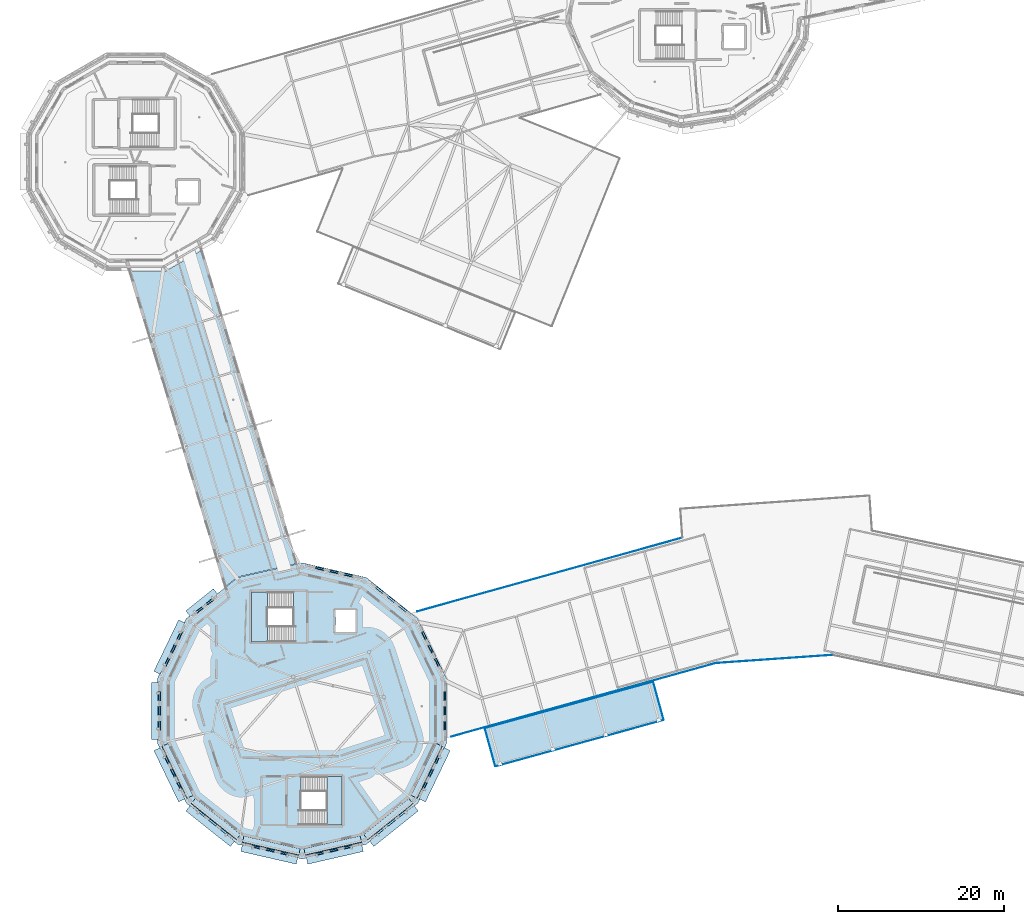
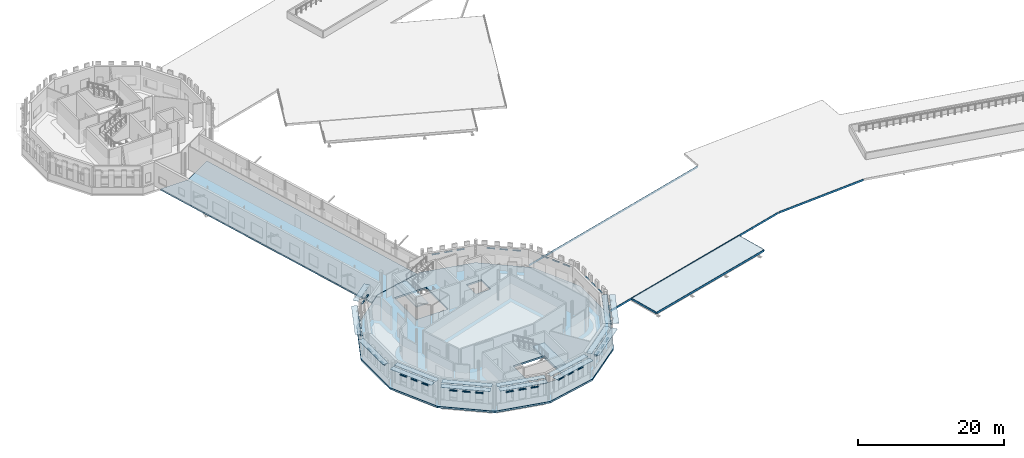
# One storey, part 31 of 90: 60 plates, 5 slabs, 2 elements without a shape of their own.
"""IFC4 building model written with IfcOpenShell, lengths in metres."""

from ifc_helpers import new_model, si_unit, direction, frame, origin, origin_2d, place, context, subcontext, project, spatial, polyline, rectangle, outline, extrude, material, layer, layer_set, type_object, element, aggregate, save


model = new_model("IFC4")

# Units and contexts
model_context = context("Model", 3, precision=1e-05, world=origin(), true_north=direction((0.0, 1.0)))
body_context = subcontext(model_context, "Body", "Model", "MODEL_VIEW")
ifc_project = project(units=[si_unit("LENGTHUNIT", "METRE"), si_unit("AREAUNIT", "SQUARE_METRE"), si_unit("VOLUMEUNIT", "CUBIC_METRE"), si_unit("PLANEANGLEUNIT", "RADIAN"), si_unit("MASSUNIT", "GRAM", prefix="KILO")], contexts=[model_context])

# Site, building, storey
site_placement = place(None, origin())
site = spatial("IfcSite", under=ifc_project, at=site_placement, CompositionType="ELEMENT")
building_placement = place(site_placement, origin())
building = spatial("IfcBuilding", under=site, at=building_placement, Name="Wrenclough Park School", CompositionType="ELEMENT")
storey_placement = place(building_placement, frame((0.0, 0.0, 8.39990234375)))
storey = spatial("IfcBuildingStorey", under=building, at=storey_placement, Name="L02", CompositionType="ELEMENT", Elevation=8.39990234375)

# Plates
ifc_material_1 = material(Name="Anodised architectural aluminium solar shading fin plate", Category="aluminium")
ifc_layer_1 = layer(ifc_material_1, 0.0380859375)
ifc_layer_set_1 = layer_set([ifc_layer_1], Name="Anodised architectural aluminium solar shading fin plate")
plate_type_1 = type_object("IfcPlateType", Name="ENV-PL-BSF", PredefinedType="SHEET", material=ifc_layer_set_1)
for number, where, z_axis, x_axis, name in (
    (1, (52.748291015625, 29.341064453125, 2.72216796875), (0.0, 0.0, 1.0), (-0.433883766632, 0.900968854652, 0.0), "D2 L02 open-bond brick screen tie band 0335"),
    (2, (51.97314453125, 30.950927734375, 2.72216796875), (0.0, 0.0, 1.0), (-0.433883766632, 0.900968854652, 0.0), "D2 L02 open-bond brick screen tie band 0336"),
    (3, (51.197998046875, 32.560791015625, 2.72216796875), (0.0, 0.0, 1.0), (-0.433883766632, 0.900968854652, 0.0), "D2 L02 open-bond brick screen tie band 0337"),
):
    element("IfcPlate", number, at=place(storey_placement, frame(where, z_axis=z_axis, x_axis=x_axis)), inside=storey, type_object=plate_type_1, Name=name, PredefinedType="SHEET", context=body_context, shape_type="SweptSolid", body=[
        extrude(rectangle(XDim=1.0869140625, YDim=0.219970703125, at=origin_2d()), origin(), (0.0, 0.0, 1.0), 0.0419921875),
    ])
for number, where, z_axis, x_axis, name in (
    (4, (48.604736328125, 35.812744140625, 2.72216796875), (0.0, 0.0, 1.0), (-0.781830120845, 0.623491509276, 0.0), "D2 L02 open-bond brick screen tie band 0338"),
    (5, (47.207763671875, 36.927001953125, 2.72216796875), (0.0, 0.0, 1.0), (-0.781830120845, 0.623491509276, 0.0), "D2 L02 open-bond brick screen tie band 0339"),
    (6, (45.810546875, 38.041259765625, 2.72216796875), (0.0, 0.0, 1.0), (-0.781830120845, 0.623491509276, 0.0), "D2 L02 open-bond brick screen tie band 0340"),
):
    element("IfcPlate", number, at=place(storey_placement, frame(where, z_axis=z_axis, x_axis=x_axis)), inside=storey, type_object=plate_type_1, Name=name, PredefinedType="SHEET", context=body_context, shape_type="SweptSolid", body=[
        extrude(rectangle(XDim=1.0859375, YDim=0.219970703125, at=origin_2d()), origin(), (0.0, 0.0, 1.0), 0.0419921875),
    ])
for number, where, z_axis, x_axis, name in (
    (7, (42.074462890625, 39.843017578125, 2.72216796875), (0.0, 0.0, 1.0), (-0.974925162984, 0.222532978638, 0.0), "D2 L02 open-bond brick screen tie band 0341"),
    (8, (40.343994140625, 40.23779296875, 2.72216796875), (0.0, 0.0, 1.0), (-0.974925162984, 0.222532978638, 0.0), "D2 L02 open-bond brick screen tie band 0342"),
    (9, (38.61376953125, 40.6328125, 2.72216796875), (0.0, 0.0, 1.0), (-0.974925162984, 0.222532978638, 0.0), "D2 L02 open-bond brick screen tie band 0343"),
):
    element("IfcPlate", number, at=place(storey_placement, frame(where, z_axis=z_axis, x_axis=x_axis)), inside=storey, type_object=plate_type_1, Name=name, PredefinedType="SHEET", context=body_context, shape_type="SweptSolid", body=[
        extrude(rectangle(XDim=1.079833984375, YDim=0.219970703125, at=origin_2d()), origin(), (0.0, 0.0, 1.0), 0.0419921875),
    ])
for number, where, z_axis, x_axis, name in (
    (10, (25.367919921875, 36.58837890625, 2.72216796875), (0.0, 0.0, 1.0), (-0.781831365405, -0.623489948652, 0.0), "D2 L02 open-bond brick screen tie band 0344"),
    (11, (24.182861328125, 35.6435546875, 2.72216796875), (0.0, 0.0, 1.0), (-0.781831365405, -0.623489948652, 0.0), "D2 L02 open-bond brick screen tie band 0345"),
):
    element("IfcPlate", number, at=place(storey_placement, frame(where, z_axis=z_axis, x_axis=x_axis)), inside=storey, type_object=plate_type_1, Name=name, PredefinedType="SHEET", context=body_context, shape_type="SweptSolid", body=[
        extrude(rectangle(XDim=0.9287109375, YDim=0.219970703125, at=origin_2d()), origin(), (0.0, 0.0, 1.0), 0.0419921875),
    ])
plate_1_placement = place(storey_placement, frame((24.45263671875, 36.5205078125, 3.701171875), z_axis=(0.0, 0.0, 1.0), x_axis=(-0.781831365405, -0.623489948652, 0.0)))
element("IfcPlate", 12, at=plate_1_placement, inside=storey, type_object=plate_type_1, Name="D2 L02 sun-side projecting brise-soleil blade 0050", PredefinedType="SHEET", context=body_context, shape_type="SweptSolid", body=[
    extrude(rectangle(XDim=4.24658203125, YDim=0.85009765625, at=origin_2d()), origin(), (0.0, 0.0, 1.0), 0.0380859375),
])
plate_2_placement = place(storey_placement, frame((21.802001953125, 32.560791015625, 2.72216796875), z_axis=(0.0, 0.0, 1.0), x_axis=(-0.43387157134, -0.900974727494, 0.0)))
element("IfcPlate", 13, at=plate_2_placement, inside=storey, type_object=plate_type_1, Name="D2 L02 open-bond brick screen tie band 0346", PredefinedType="SHEET", context=body_context, shape_type="SweptSolid", body=[
    extrude(rectangle(XDim=1.086669921875, YDim=0.219970703125, at=origin_2d()), origin(), (0.0, 0.0, 1.0), 0.0419921875),
])
plate_3_placement = place(storey_placement, frame((21.02685546875, 30.951171875, 2.72216796875), z_axis=(0.0, 0.0, 1.0), x_axis=(-0.43387157134, -0.900974727494, 0.0)))
element("IfcPlate", 14, at=plate_3_placement, inside=storey, type_object=plate_type_1, Name="D2 L02 open-bond brick screen tie band 0347", PredefinedType="SHEET", context=body_context, shape_type="SweptSolid", body=[
    extrude(rectangle(XDim=1.0869140625, YDim=0.219970703125, at=origin_2d()), origin(), (0.0, 0.0, 1.0), 0.0419921875),
])
plate_4_placement = place(storey_placement, frame((20.251708984375, 29.34130859375, 2.72216796875), z_axis=(0.0, 0.0, 1.0), x_axis=(-0.43387157134, -0.900974727494, 0.0)))
element("IfcPlate", 15, at=plate_4_placement, inside=storey, type_object=plate_type_1, Name="D2 L02 open-bond brick screen tie band 0348", PredefinedType="SHEET", context=body_context, shape_type="SweptSolid", body=[
    extrude(rectangle(XDim=1.086669921875, YDim=0.219970703125, at=origin_2d()), origin(), (0.0, 0.0, 1.0), 0.0419921875),
])
plate_5_placement = place(storey_placement, frame((20.560546875, 31.17578125, 3.701171875), z_axis=(0.0, 0.0, 1.0), x_axis=(-0.43387157134, -0.900974727494, 0.0)))
element("IfcPlate", 16, at=plate_5_placement, inside=storey, type_object=plate_type_1, Name="D2 L02 sun-side projecting brise-soleil blade 0051", PredefinedType="SHEET", context=body_context, shape_type="SweptSolid", body=[
    extrude(rectangle(XDim=6.8466796875, YDim=0.85009765625, at=origin_2d()), origin(), (0.0, 0.0, 1.0), 0.0380859375),
])
plate_6_placement = place(storey_placement, frame((19.326416015625, 25.28662109375, 2.72216796875), z_axis=(0.0, 0.0, 1.0), x_axis=(0.0, -1.0, 0.0)))
element("IfcPlate", 17, at=plate_6_placement, inside=storey, type_object=plate_type_1, Name="D2 L02 open-bond brick screen tie band 0349", PredefinedType="SHEET", context=body_context, shape_type="SweptSolid", body=[
    extrude(rectangle(XDim=1.08642578125, YDim=0.219970703125, at=origin_2d()), origin(), (0.0, 0.0, 1.0), 0.0419921875),
])
plate_7_placement = place(storey_placement, frame((19.326416015625, 23.5, 2.72216796875), z_axis=(0.0, 0.0, 1.0), x_axis=(0.0, -1.0, 0.0)))
element("IfcPlate", 18, at=plate_7_placement, inside=storey, type_object=plate_type_1, Name="D2 L02 open-bond brick screen tie band 0350", PredefinedType="SHEET", context=body_context, shape_type="SweptSolid", body=[
    extrude(rectangle(XDim=1.086669921875, YDim=0.219970703125, at=origin_2d()), origin(), (0.0, 0.0, 1.0), 0.0419921875),
])
plate_8_placement = place(storey_placement, frame((19.326416015625, 21.71337890625, 2.72216796875), z_axis=(0.0, 0.0, 1.0), x_axis=(0.0, -1.0, 0.0)))
element("IfcPlate", 19, at=plate_8_placement, inside=storey, type_object=plate_type_1, Name="D2 L02 open-bond brick screen tie band 0351", PredefinedType="SHEET", context=body_context, shape_type="SweptSolid", body=[
    extrude(rectangle(XDim=1.08642578125, YDim=0.219970703125, at=origin_2d()), origin(), (0.0, 0.0, 1.0), 0.0419921875),
])
plate_9_placement = place(storey_placement, frame((18.808837890625, 23.5, 3.701171875), z_axis=(0.0, 0.0, 1.0), x_axis=(0.0, -1.0, 0.0)))
element("IfcPlate", 20, at=plate_9_placement, inside=storey, type_object=plate_type_1, Name="D2 L02 sun-side projecting brise-soleil blade 0052", PredefinedType="SHEET", context=body_context, shape_type="SweptSolid", body=[
    extrude(rectangle(XDim=6.845947265625, YDim=0.85009765625, at=origin_2d()), origin(), (0.0, 0.0, 1.0), 0.0380859375),
])
plate_10_placement = place(storey_placement, frame((20.251708984375, 17.65869140625, 2.72216796875), z_axis=(0.0, 0.0, 1.0), x_axis=(0.433882929518, -0.900969257785, 0.0)))
element("IfcPlate", 21, at=plate_10_placement, inside=storey, type_object=plate_type_1, Name="D2 L02 open-bond brick screen tie band 0352", PredefinedType="SHEET", context=body_context, shape_type="SweptSolid", body=[
    extrude(rectangle(XDim=1.086669921875, YDim=0.219970703125, at=origin_2d()), origin(), (0.0, 0.0, 1.0), 0.0419921875),
])
plate_11_placement = place(storey_placement, frame((21.02685546875, 16.048828125, 2.72216796875), z_axis=(0.0, 0.0, 1.0), x_axis=(0.433882929518, -0.900969257785, 0.0)))
element("IfcPlate", 22, at=plate_11_placement, inside=storey, type_object=plate_type_1, Name="D2 L02 open-bond brick screen tie band 0353", PredefinedType="SHEET", context=body_context, shape_type="SweptSolid", body=[
    extrude(rectangle(XDim=1.0869140625, YDim=0.219970703125, at=origin_2d()), origin(), (0.0, 0.0, 1.0), 0.0419921875),
])
plate_12_placement = place(storey_placement, frame((21.80224609375, 14.439208984375, 2.72216796875), z_axis=(0.0, 0.0, 1.0), x_axis=(0.433882929518, -0.900969257785, 0.0)))
element("IfcPlate", 23, at=plate_12_placement, inside=storey, type_object=plate_type_1, Name="D2 L02 open-bond brick screen tie band 0354", PredefinedType="SHEET", context=body_context, shape_type="SweptSolid", body=[
    extrude(rectangle(XDim=1.086669921875, YDim=0.219970703125, at=origin_2d()), origin(), (0.0, 0.0, 1.0), 0.0419921875),
])
plate_13_placement = place(storey_placement, frame((20.560791015625, 15.82421875, 3.701171875), z_axis=(0.0, 0.0, 1.0), x_axis=(0.433882929518, -0.900969257785, 0.0)))
element("IfcPlate", 24, at=plate_13_placement, inside=storey, type_object=plate_type_1, Name="D2 L02 sun-side projecting brise-soleil blade 0053", PredefinedType="SHEET", context=body_context, shape_type="SweptSolid", body=[
    extrude(rectangle(XDim=6.846923828125, YDim=0.85009765625, at=origin_2d()), origin(), (0.0, 0.0, 1.0), 0.0380859375),
])
for number, where, z_axis, x_axis, name in (
    (25, (24.39501953125, 11.187255859375, 2.72216796875), (0.0, 0.0, 1.0), (0.781831588169, -0.623489669314, 0.0), "D2 L02 open-bond brick screen tie band 0355"),
    (26, (25.7919921875, 10.0732421875, 2.72216796875), (0.0, 0.0, 1.0), (0.781831588169, -0.623489669314, 0.0), "D2 L02 open-bond brick screen tie band 0356"),
    (27, (27.18896484375, 8.959228515625, 2.72216796875), (0.0, 0.0, 1.0), (0.781831588169, -0.623489669314, 0.0), "D2 L02 open-bond brick screen tie band 0357"),
):
    element("IfcPlate", number, at=place(storey_placement, frame(where, z_axis=z_axis, x_axis=x_axis)), inside=storey, type_object=plate_type_1, Name=name, PredefinedType="SHEET", context=body_context, shape_type="SweptSolid", body=[
        extrude(rectangle(XDim=1.0869140625, YDim=0.219970703125, at=origin_2d()), origin(), (0.0, 0.0, 1.0), 0.0419921875),
    ])
plate_14_placement = place(storey_placement, frame((25.469482421875, 9.668701171875, 3.701171875), z_axis=(0.0, 0.0, 1.0), x_axis=(0.781831588169, -0.623489669314, 0.0)))
element("IfcPlate", 28, at=plate_14_placement, inside=storey, type_object=plate_type_1, Name="D2 L02 sun-side projecting brise-soleil blade 0054", PredefinedType="SHEET", context=body_context, shape_type="SweptSolid", body=[
    extrude(rectangle(XDim=6.84716796875, YDim=0.85009765625, at=origin_2d()), origin(), (0.0, 0.0, 1.0), 0.0380859375),
])
for number, where, z_axis, x_axis, name in (
    (29, (30.936279296875, 7.154541015625, 2.72216796875), (0.0, 0.0, 1.0), (0.97492627853, -0.222528091331, 0.0), "D2 L02 open-bond brick screen tie band 0358"),
    (30, (32.67822265625, 6.7568359375, 2.72216796875), (0.0, 0.0, 1.0), (0.97492627853, -0.222528091331, 0.0), "D2 L02 open-bond brick screen tie band 0359"),
    (31, (34.42041015625, 6.359375, 2.72216796875), (0.0, 0.0, 1.0), (0.97492627853, -0.222528091331, 0.0), "D2 L02 open-bond brick screen tie band 0360"),
):
    element("IfcPlate", number, at=place(storey_placement, frame(where, z_axis=z_axis, x_axis=x_axis)), inside=storey, type_object=plate_type_1, Name=name, PredefinedType="SHEET", context=body_context, shape_type="SweptSolid", body=[
        extrude(rectangle(XDim=1.0869140625, YDim=0.219970703125, at=origin_2d()), origin(), (0.0, 0.0, 1.0), 0.0419921875),
    ])
plate_15_placement = place(storey_placement, frame((32.56298828125, 6.25244140625, 3.701171875), z_axis=(0.0, 0.0, 1.0), x_axis=(0.97492627853, -0.222528091331, 0.0)))
element("IfcPlate", 32, at=plate_15_placement, inside=storey, type_object=plate_type_1, Name="D2 L02 sun-side projecting brise-soleil blade 0055", PredefinedType="SHEET", context=body_context, shape_type="SweptSolid", body=[
    extrude(rectangle(XDim=6.847412109375, YDim=0.85009765625, at=origin_2d()), origin(), (0.0, 0.0, 1.0), 0.0380859375),
])
for number, where, z_axis, x_axis, name in (
    (33, (38.579345703125, 6.359130859375, 2.72216796875), (0.0, 0.0, 1.0), (0.974929149471, 0.222515512969, 0.0), "D2 L02 open-bond brick screen tie band 0361"),
    (34, (40.3212890625, 6.7568359375, 2.72216796875), (0.0, 0.0, 1.0), (0.974929149471, 0.222515512969, 0.0), "D2 L02 open-bond brick screen tie band 0362"),
    (35, (42.06298828125, 7.154296875, 2.72216796875), (0.0, 0.0, 1.0), (0.974929149471, 0.222515512969, 0.0), "D2 L02 open-bond brick screen tie band 0363"),
):
    element("IfcPlate", number, at=place(storey_placement, frame(where, z_axis=z_axis, x_axis=x_axis)), inside=storey, type_object=plate_type_1, Name=name, PredefinedType="SHEET", context=body_context, shape_type="SweptSolid", body=[
        extrude(rectangle(XDim=1.086669921875, YDim=0.219970703125, at=origin_2d()), origin(), (0.0, 0.0, 1.0), 0.0419921875),
    ])
plate_16_placement = place(storey_placement, frame((40.436279296875, 6.252197265625, 3.701171875), z_axis=(0.0, 0.0, 1.0), x_axis=(0.974929149471, 0.222515512969, 0.0)))
element("IfcPlate", 36, at=plate_16_placement, inside=storey, type_object=plate_type_1, Name="D2 L02 sun-side projecting brise-soleil blade 0056", PredefinedType="SHEET", context=body_context, shape_type="SweptSolid", body=[
    extrude(rectangle(XDim=6.846435546875, YDim=0.85009765625, at=origin_2d()), origin(), (0.0, 0.0, 1.0), 0.0380859375),
])
for number, where, z_axis, x_axis, name in (
    (37, (45.810546875, 8.958740234375, 2.72216796875), (0.0, 0.0, 1.0), (0.781830120845, 0.623491509276, 0.0), "D2 L02 open-bond brick screen tie band 0364"),
    (38, (47.207763671875, 10.072998046875, 2.72216796875), (0.0, 0.0, 1.0), (0.781830120845, 0.623491509276, 0.0), "D2 L02 open-bond brick screen tie band 0365"),
    (39, (48.604736328125, 11.18701171875, 2.72216796875), (0.0, 0.0, 1.0), (0.781830120845, 0.623491509276, 0.0), "D2 L02 open-bond brick screen tie band 0366"),
):
    element("IfcPlate", number, at=place(storey_placement, frame(where, z_axis=z_axis, x_axis=x_axis)), inside=storey, type_object=plate_type_1, Name=name, PredefinedType="SHEET", context=body_context, shape_type="SweptSolid", body=[
        extrude(rectangle(XDim=1.0859375, YDim=0.219970703125, at=origin_2d()), origin(), (0.0, 0.0, 1.0), 0.0419921875),
    ])
plate_17_placement = place(storey_placement, frame((47.5302734375, 9.66845703125, 3.701171875), z_axis=(0.0, 0.0, 1.0), x_axis=(0.781830120845, 0.623491509276, 0.0)))
element("IfcPlate", 40, at=plate_17_placement, inside=storey, type_object=plate_type_1, Name="D2 L02 sun-side projecting brise-soleil blade 0057", PredefinedType="SHEET", context=body_context, shape_type="SweptSolid", body=[
    extrude(rectangle(XDim=6.847900390625, YDim=0.85009765625, at=origin_2d()), origin(), (0.0, 0.0, 1.0), 0.0380859375),
])
for number, where, z_axis, x_axis, name in (
    (41, (51.197998046875, 14.439208984375, 2.72216796875), (0.0, 0.0, 1.0), (0.433872409166, 0.900974324032, 0.0), "D2 L02 open-bond brick screen tie band 0367"),
    (42, (51.97314453125, 16.049072265625, 2.72216796875), (0.0, 0.0, 1.0), (0.433872409166, 0.900974324032, 0.0), "D2 L02 open-bond brick screen tie band 0368"),
    (43, (52.748291015625, 17.658935546875, 2.72216796875), (0.0, 0.0, 1.0), (0.433872409166, 0.900974324032, 0.0), "D2 L02 open-bond brick screen tie band 0369"),
):
    element("IfcPlate", number, at=place(storey_placement, frame(where, z_axis=z_axis, x_axis=x_axis)), inside=storey, type_object=plate_type_1, Name=name, PredefinedType="SHEET", context=body_context, shape_type="SweptSolid", body=[
        extrude(rectangle(XDim=1.0869140625, YDim=0.219970703125, at=origin_2d()), origin(), (0.0, 0.0, 1.0), 0.0419921875),
    ])
plate_18_placement = place(storey_placement, frame((52.439453125, 15.824462890625, 3.701171875), z_axis=(0.0, 0.0, 1.0), x_axis=(0.433872409166, 0.900974324032, 0.0)))
element("IfcPlate", 44, at=plate_18_placement, inside=storey, type_object=plate_type_1, Name="D2 L02 sun-side projecting brise-soleil blade 0058", PredefinedType="SHEET", context=body_context, shape_type="SweptSolid", body=[
    extrude(rectangle(XDim=6.847412109375, YDim=0.85009765625, at=origin_2d()), origin(), (0.0, 0.0, 1.0), 0.0380859375),
])
plate_19_placement = place(storey_placement, frame((53.673583984375, 21.71337890625, 2.72216796875), z_axis=(0.0, 0.0, 1.0), x_axis=(0.0, 1.0, 0.0)))
element("IfcPlate", 45, at=plate_19_placement, inside=storey, type_object=plate_type_1, Name="D2 L02 open-bond brick screen tie band 0370", PredefinedType="SHEET", context=body_context, shape_type="SweptSolid", body=[
    extrude(rectangle(XDim=1.08642578125, YDim=0.219970703125, at=origin_2d()), origin(), (0.0, 0.0, 1.0), 0.0419921875),
])
plate_20_placement = place(storey_placement, frame((53.673583984375, 23.5, 2.72216796875), z_axis=(0.0, 0.0, 1.0), x_axis=(0.0, 1.0, 0.0)))
element("IfcPlate", 46, at=plate_20_placement, inside=storey, type_object=plate_type_1, Name="D2 L02 open-bond brick screen tie band 0371", PredefinedType="SHEET", context=body_context, shape_type="SweptSolid", body=[
    extrude(rectangle(XDim=1.086669921875, YDim=0.219970703125, at=origin_2d()), origin(), (0.0, 0.0, 1.0), 0.0419921875),
])
plate_21_placement = place(storey_placement, frame((53.673583984375, 25.28662109375, 2.72216796875), z_axis=(0.0, 0.0, 1.0), x_axis=(0.0, 1.0, 0.0)))
element("IfcPlate", 47, at=plate_21_placement, inside=storey, type_object=plate_type_1, Name="D2 L02 open-bond brick screen tie band 0372", PredefinedType="SHEET", context=body_context, shape_type="SweptSolid", body=[
    extrude(rectangle(XDim=1.08642578125, YDim=0.219970703125, at=origin_2d()), origin(), (0.0, 0.0, 1.0), 0.0419921875),
])
plate_22_placement = place(storey_placement, frame((40.190185546875, 7.33203125, 3.720947265625), z_axis=(0.0, 0.0, 1.0), x_axis=(-0.974928960136, -0.222516342519, 0.0)))
element("IfcPlate", 48, at=plate_22_placement, inside=storey, type_object=plate_type_1, Name="L02 link wing sun-side brise-soleil blade 0197", PredefinedType="SHEET", context=body_context, shape_type="SweptSolid", body=[
    extrude(rectangle(XDim=6.932861328125, YDim=0.800048828125, at=origin_2d()), origin(), (0.0, 0.0, 1.0), 0.0380859375),
])
plate_23_placement = place(storey_placement, frame((32.806884765625, 7.31982421875, 3.720947265625), z_axis=(0.0, 0.0, 1.0), x_axis=(-0.974929635345, 0.222513384148, 0.0)))
element("IfcPlate", 49, at=plate_23_placement, inside=storey, type_object=plate_type_1, Name="L02 link wing sun-side brise-soleil blade 0198", PredefinedType="SHEET", context=body_context, shape_type="SweptSolid", body=[
    extrude(rectangle(XDim=6.93310546875, YDim=0.800048828125, at=origin_2d()), origin(), (0.0, 0.0, 1.0), 0.0380859375),
])
plate_24_placement = place(storey_placement, frame((26.14453125, 10.5146484375, 3.720947265625), z_axis=(0.0, 0.0, 1.0), x_axis=(-0.781820526252, 0.623503540271, 0.0)))
element("IfcPlate", 50, at=plate_24_placement, inside=storey, type_object=plate_type_1, Name="L02 link wing sun-side brise-soleil blade 0199", PredefinedType="SHEET", context=body_context, shape_type="SweptSolid", body=[
    extrude(rectangle(XDim=6.932861328125, YDim=0.800048828125, at=origin_2d()), origin(), (0.0, 0.0, 1.0), 0.0380859375),
])
for number, where, z_axis, x_axis, name in (
    (51, (21.5224609375, 16.287109375, 3.720947265625), (0.0, 0.0, 1.0), (-0.433887370926, 0.900967118907, 0.0), "L02 link wing sun-side brise-soleil blade 0200"),
    (52, (51.4775390625, 16.287109375, 3.720947265625), (0.0, 0.0, 1.0), (-0.433887370926, -0.900967118907, 0.0), "L02 link wing sun-side brise-soleil blade 0204"),
):
    element("IfcPlate", number, at=place(storey_placement, frame(where, z_axis=z_axis, x_axis=x_axis)), inside=storey, type_object=plate_type_1, Name=name, PredefinedType="SHEET", context=body_context, shape_type="SweptSolid", body=[
        extrude(rectangle(XDim=6.93310546875, YDim=0.800048828125, at=origin_2d()), origin(), (0.0, 0.0, 1.0), 0.0380859375),
    ])
plate_25_placement = place(storey_placement, frame((46.87109375, 10.4951171875, 3.720947265625), z_axis=(0.0, 0.0, 1.0), x_axis=(-0.781832475537, -0.623488556588, 0.0)))
element("IfcPlate", 53, at=plate_25_placement, inside=storey, type_object=plate_type_1, Name="L02 link wing sun-side brise-soleil blade 0205", PredefinedType="SHEET", context=body_context, shape_type="SweptSolid", body=[
    extrude(rectangle(XDim=6.932861328125, YDim=0.800048828125, at=origin_2d()), origin(), (0.0, 0.0, 1.0), 0.0380859375),
])
ifc_material_2 = material(Name="Patinated copper-alloy architectural eave fascia cassette", Category="aluminium")
ifc_layer_2 = layer(ifc_material_2, 0.028076171875)
ifc_layer_set_2 = layer_set([ifc_layer_2], Name="Patinated copper-alloy architectural eave fascia cassette")
plate_type_2 = type_object("IfcPlateType", Name="ENV-PL-FAS", PredefinedType="SHEET", material=ifc_layer_set_2)
plate_26_placement = place(storey_placement, frame((93.207275390625, 29.7265625, -0.2900390625), z_axis=(0.0, 0.0, 1.0), x_axis=(0.997563803335, 0.069760004841, 0.0)))
element("IfcPlate", 54, at=plate_26_placement, inside=storey, type_object=plate_type_2, Name="Overhanging copper eave fascia plate 001", PredefinedType="SHEET", context=body_context, shape_type="SweptSolid", body=[
    extrude(rectangle(XDim=13.9453125, YDim=0.028076171875, at=origin_2d()), origin(), (0.0, 0.0, 1.0), 0.340087890625),
])
plate_27_placement = place(storey_placement, frame((66.239013671875, 39.866455078125, -0.2900390625), z_axis=(0.0, 0.0, 1.0), x_axis=(-0.963397208124, -0.268078009877, 0.0)))
element("IfcPlate", 55, at=plate_27_placement, inside=storey, type_object=plate_type_2, Name="Overhanging copper eave fascia plate 007", PredefinedType="SHEET", context=body_context, shape_type="SweptSolid", body=[
    extrude(rectangle(XDim=33.047119140625, YDim=0.028076171875, at=origin_2d()), origin(), (0.0, 0.0, 1.0), 0.340087890625),
])
plate_28_placement = place(storey_placement, frame((70.296630859375, 24.81298828125, -0.2900390625), z_axis=(0.0, 0.0, 1.0), x_axis=(0.963397779694, 0.268075955806, 0.0)))
element("IfcPlate", 56, at=plate_28_placement, inside=storey, type_object=plate_type_2, Name="Overhanging copper eave fascia plate 008", PredefinedType="SHEET", context=body_context, shape_type="SweptSolid", body=[
    extrude(rectangle(XDim=32.876220703125, YDim=0.028076171875, at=origin_2d()), origin(), (0.0, 0.0, 1.0), 0.340087890625),
])
plate_29_placement = place(storey_placement, frame((68.593994140625, 24.20849609375, -0.2900390625), z_axis=(0.0, 0.0, 1.0), x_axis=(-0.964002130847, -0.265894512395, 0.0)))
element("IfcPlate", 57, at=plate_29_placement, inside=storey, type_object=plate_type_2, Name="Overhanging copper eave fascia plate 026", PredefinedType="SHEET", context=body_context, shape_type="SweptSolid", body=[
    extrude(rectangle(XDim=20.880126953125, YDim=0.028076171875, at=origin_2d()), origin(), (0.0, 0.0, 1.0), 0.340087890625),
])
plate_30_placement = place(storey_placement, frame((59.11083984375, 19.118896484375, -0.2900390625), z_axis=(0.0, 0.0, 1.0), x_axis=(0.265900841891, -0.964000385001, 0.0)))
element("IfcPlate", 58, at=plate_30_placement, inside=storey, type_object=plate_type_2, Name="Overhanging copper eave fascia plate 027", PredefinedType="SHEET", context=body_context, shape_type="SweptSolid", body=[
    extrude(rectangle(XDim=4.659912109375, YDim=0.028076171875, at=origin_2d()), origin(), (0.0, 0.0, 1.0), 0.340087890625),
])
plate_31_placement = place(storey_placement, frame((69.8623046875, 19.610107421875, -0.2900390625), z_axis=(0.0, 0.0, 1.0), x_axis=(0.96400335142, 0.265890087162, 0.0)))
element("IfcPlate", 59, at=plate_31_placement, inside=storey, type_object=plate_type_2, Name="Overhanging copper eave fascia plate 028", PredefinedType="SHEET", context=body_context, shape_type="SweptSolid", body=[
    extrude(rectangle(XDim=20.8798828125, YDim=0.028076171875, at=origin_2d()), origin(), (0.0, 0.0, 1.0), 0.340087890625),
])
plate_32_placement = place(storey_placement, frame((79.34521484375, 24.699951171875, -0.2900390625), z_axis=(0.0, 0.0, 1.0), x_axis=(-0.265895479446, 0.964001864111, 0.0)))
element("IfcPlate", 60, at=plate_32_placement, inside=storey, type_object=plate_type_2, Name="Overhanging copper eave fascia plate 029", PredefinedType="SHEET", context=body_context, shape_type="SweptSolid", body=[
    extrude(rectangle(XDim=4.66015625, YDim=0.028076171875, at=origin_2d()), origin(), (0.0, 0.0, 1.0), 0.340087890625),
])

# Stair, slab
ifc_material_3 = material(Name="Precast concrete C40/50", Category="concrete")
stair_type_1 = type_object("IfcStairType", Name="INT-ST-190-42", PredefinedType="HALF_TURN_STAIR", material=ifc_material_3)
stair_1_placement = place(storey_placement, origin())
stair_1 = element("IfcStair", 61, at=stair_1_placement, inside=storey, type_object=stair_type_1, Name="L02 escape stair ST-02", PredefinedType="HALF_TURN_STAIR")
ifc_layer_3 = layer(ifc_material_3, 0.195068359375)
ifc_layer_set_3 = layer_set([ifc_layer_3], Name="Precast concrete C40/50")
slab_type_1 = type_object("IfcSlabType", Name="INT-SL-LAND195", PredefinedType="LANDING", material=ifc_layer_set_3)
slab_1_placement = place(storey_placement, frame((0.0, 0.0, 1.989013671875)))
slab_1 = element("IfcSlab", 62, at=slab_1_placement, type_object=slab_type_1, Name="ST-02 landing 1", PredefinedType="LANDING", context=body_context, shape_type="SweptSolid", body=[
    extrude(outline(polyline([(30.39990234375, 31.800048828125), (32.322998046875, 31.800048828125), (32.322998046875, 37.800048828125), (30.39990234375, 37.800048828125), (30.39990234375, 31.800048828125)])), origin(), (0.0, 0.0, 1.0), 0.195068359375),
])
aggregate(stair_1, [slab_1])

stair_type_2 = type_object("IfcStairType", Name="INT-ST-180-42", PredefinedType="HALF_TURN_STAIR", material=ifc_material_3)
stair_2_placement = place(storey_placement, origin())
stair_2 = element("IfcStair", 63, at=stair_2_placement, inside=storey, type_object=stair_type_2, Name="L02 escape stair ST-13", PredefinedType="HALF_TURN_STAIR")
slab_2_placement = place(storey_placement, frame((0.0, 0.0, 1.989013671875)))
slab_2 = element("IfcSlab", 64, at=slab_2_placement, type_object=slab_type_1, Name="ST-13 landing 1", PredefinedType="LANDING", context=body_context, shape_type="SweptSolid", body=[
    extrude(outline(polyline([(39.47705078125, 9.800048828125), (41.300048828125, 9.800048828125), (41.300048828125, 15.60009765625), (39.47705078125, 15.60009765625), (39.47705078125, 9.800048828125)])), origin(), (0.0, 0.0, 1.0), 0.195068359375),
])
aggregate(stair_2, [slab_2])

# Slabs
ifc_material_4 = material(Name="Concrete C32/40", Category="concrete")
ifc_layer_4 = layer(ifc_material_4, 0.239990234375)
ifc_layer_set_4 = layer_set([ifc_layer_4], Name="Concrete C32/40")
slab_type_2 = type_object("IfcSlabType", Name="STR-SL-FL240", PredefinedType="FLOOR", material=ifc_layer_set_4)
slab_3_placement = place(storey_placement, frame((0.0, 0.0, -0.239990234375)))
element("IfcSlab", 65, at=slab_3_placement, inside=storey, type_object=slab_type_2, Name="W23 L02 structural slab SLAB-W23-L02", PredefinedType="FLOOR", context=body_context, shape_type="SweptSolid", body=[
    extrude(outline(polyline([(35.93603515625, 41.22265625), (24.517822265625, 78.902587890625), (20.035400390625, 76.31591796875), (15.689453125, 76.3134765625), (27.1962890625, 38.3408203125), (28.761474609375, 39.5849609375), (35.93603515625, 41.22265625)])), origin(), (0.0, 0.0, 1.0), 0.239990234375),
])
ifc_material_5 = material(Name="Concrete C35/45", Category="concrete")
ifc_layer_5 = layer(ifc_material_5, 0.280029296875)
ifc_layer_set_5 = layer_set([ifc_layer_5], Name="Concrete C35/45")
slab_type_3 = type_object("IfcSlabType", Name="STR-SL-FL280", PredefinedType="FLOOR", material=ifc_layer_set_5)
slab_4_placement = place(storey_placement, frame((0.0, 0.0, -0.27978515625)))
element("IfcSlab", 66, at=slab_4_placement, inside=storey, type_object=slab_type_3, Name="D2 L02 structural slab SLAB-D2-L02", PredefinedType="FLOOR", context=body_context, shape_type="SweptSolid", body=[
    extrude(outline(polyline([(53.853759765625, 27.460693359375), (50.41650390625, 34.59814453125), (44.22314453125, 39.537109375), (36.5, 41.300048828125), (28.77685546875, 39.537353515625), (22.58349609375, 34.59814453125), (19.146240234375, 27.4609375), (19.146240234375, 19.539306640625), (22.58349609375, 12.40185546875), (28.77685546875, 7.462890625), (36.5, 5.699951171875), (44.22314453125, 7.462646484375), (50.41650390625, 12.40185546875), (53.853759765625, 19.5390625), (53.853759765625, 27.460693359375)]), holes=[polyline([(30.39990234375, 31.800048828125), (35.451904296875, 31.800048828125), (35.451904296875, 37.800048828125), (30.39990234375, 37.800048828125), (30.39990234375, 31.800048828125)]), polyline([(40.5, 33.0), (42.89990234375, 33.0), (42.89990234375, 35.60009765625), (40.5, 35.60009765625), (40.5, 33.0)]), polyline([(36.347900390625, 9.800048828125), (41.300048828125, 9.800048828125), (41.300048828125, 15.60009765625), (36.347900390625, 15.60009765625), (36.347900390625, 9.800048828125)])]), origin(), (0.0, 0.0, 1.0), 0.27978515625),
])
ifc_layer_6 = layer(ifc_material_4, 0.22509765625)
ifc_layer_set_6 = layer_set([ifc_layer_6], Name="Concrete C32/40")
slab_type_4 = type_object("IfcSlabType", Name="STR-SL-RF225", PredefinedType="ROOF", material=ifc_layer_set_6)
slab_5_placement = place(storey_placement, frame((0.0, 0.0, -0.224853515625)))
element("IfcSlab", 67, at=slab_5_placement, inside=storey, type_object=slab_type_4, Name="Signature 7.80 m overhanging eave deck EAVE-ENTRANCE", PredefinedType="ROOF", context=body_context, shape_type="SweptSolid", body=[
    extrude(outline(polyline([(78.714599609375, 27.005126953125), (58.470458984375, 21.42138671875), (59.741455078125, 16.8134765625), (79.985595703125, 22.397216796875), (78.714599609375, 27.005126953125)])), origin(), (0.0, 0.0, 1.0), 0.224853515625),
])

save(model, "model.ifc")
